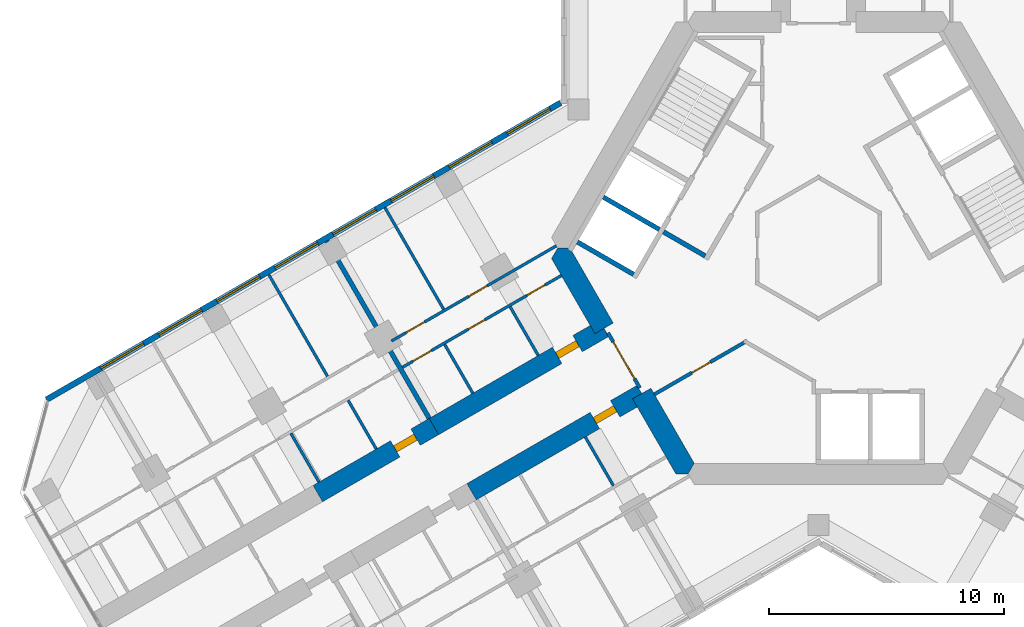
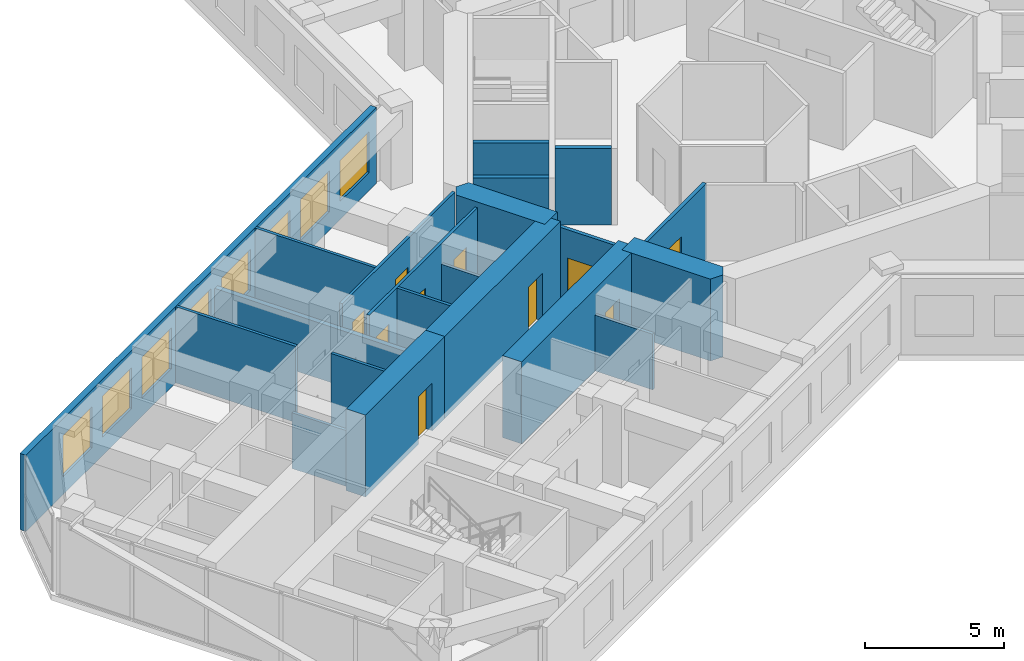
# One storey, part 12 of 19: 21 walls, 10 doors, 8 windows, 18 openings.
"""IFC4 building model written with IfcOpenShell, lengths in metres."""

from ifc_helpers import new_model, si_unit, direction, frame, frame_2d, origin, place, context, subcontext, project, spatial, polyline, rectangle, outline, extrude, material, layer, layer_set, type_object, element, fill, save


model = new_model("IFC4")

# Units and contexts
model_context = context("Model", 3, precision=1e-05, world=origin(), true_north=direction((0.0, 1.0)))
body_context = subcontext(model_context, "Body", "Model", "MODEL_VIEW")
ifc_project = project(units=[si_unit("LENGTHUNIT", "METRE"), si_unit("AREAUNIT", "SQUARE_METRE"), si_unit("VOLUMEUNIT", "CUBIC_METRE"), si_unit("PLANEANGLEUNIT", "RADIAN"), si_unit("MASSUNIT", "GRAM", prefix="KILO")], contexts=[model_context])

# Site, building, storey
site_placement = place(None, origin())
site = spatial("IfcSite", under=ifc_project, at=site_placement, CompositionType="ELEMENT")
building_placement = place(site_placement, origin())
building = spatial("IfcBuilding", under=site, at=building_placement, Name="Kosmar Iwan School Tower", CompositionType="ELEMENT")
storey_placement = place(building_placement, frame((0.0, 0.0, 158.0)))
storey = spatial("IfcBuildingStorey", under=building, at=storey_placement, Name="L39", CompositionType="ELEMENT", Elevation=158.0)

# Wall, opening, door
ifc_material_1 = material(Name="Gypsum board on steel studs, fire-rated", Category="steel")
ifc_layer_1 = layer(ifc_material_1, 0.14990234375)
ifc_layer_set_1 = layer_set([ifc_layer_1], Name="Core room partition 150")
wall_type_1 = type_object("IfcWallType", Name="Core room partition 150", PredefinedType="PARTITIONING", material=ifc_layer_set_1)
wall_1_placement = place(storey_placement, frame((-6.978515625, -6.222900390625, 0.0), z_axis=(0.0, 0.0, 1.0), x_axis=(0.866033797781, 0.49998546089, 0.0)))
wall_1 = element("IfcWall", 1, at=wall_1_placement, inside=storey, type_object=wall_type_1, Name="Core room partition L39-CW5", PredefinedType="PARTITIONING", context=body_context, shape_type="SweptSolid", body=[
    extrude(rectangle(XDim=4.553466796875, YDim=0.14990234375, at=frame_2d((2.27685546875, 0.0))), origin(), (0.0, 0.0, 1.0), 3.35009765625),
])
opening_1_placement = place(wall_1_placement, frame((1.846923828125, 0.0, 0.0)))
opening_1 = element("IfcOpeningElement", 2, at=opening_1_placement, cuts=wall_1, Name="Opening D14", PredefinedType="OPENING", context=body_context, shape_type="SweptSolid", body=[
    extrude(rectangle(XDim=0.89990234375, YDim=2.10009765625, at=frame_2d((0.449951171875, 1.050048828125))), frame((0.0, 0.0869140625, 0.0), z_axis=(0.0, -1.0, 0.0), x_axis=(1.0, 0.0, 0.0)), (0.0, 0.0, 1.0), 0.173828125),
])
ifc_material_2 = material(Name="Timber fire door in steel frame", Category="steel")
door_type_1 = type_object("IfcDoorType", Name="Core room door 900x2100", OperationType="SINGLE_SWING_LEFT", PredefinedType="DOOR", material=ifc_material_2)
door_1_placement = place(opening_1_placement, origin())
door_1 = element("IfcDoor", 3, at=door_1_placement, inside=storey, type_object=door_type_1, Name="Refuse and recycling room door L39 3", OperationType="SINGLE_SWING_LEFT", OverallHeight=2.10009765625, OverallWidth=0.89990234375, PredefinedType="DOOR", context=body_context, shape_type="SweptSolid", body=[
    extrude(rectangle(XDim=0.89990234375, YDim=2.10009765625, at=frame_2d((0.449951171875, 1.050048828125))), frame((0.0, 0.02490234375, 0.0), z_axis=(0.0, -1.0, 0.0), x_axis=(1.0, 0.0, 0.0)), (0.0, 0.0, 1.0), 0.050048828125),
])
fill(opening_1, door_1)

# Walls
ifc_material_3 = material(Name="Concrete C50/60", Category="concrete")
ifc_layer_2 = layer(ifc_material_3, 0.89990234375)
ifc_layer_set_2 = layer_set([ifc_layer_2], Name="Core wall 900")
wall_type_2 = type_object("IfcWallType", Name="Core wall 900", PredefinedType="SHEAR", material=ifc_layer_set_2)
wall_2_placement = place(storey_placement, origin())
element("IfcWall", 4, at=wall_2_placement, inside=storey, type_object=wall_type_2, Name="Core wall F210a", PredefinedType="SHEAR", context=body_context, shape_type="SweptSolid", body=[
    extrude(outline(polyline([(-9.503662109375, -3.639404296875), (-8.72412109375, -3.189453125), (-10.5654296875, 0.0), (-11.085205078125, 0.0), (-11.344970703125, -0.449951171875), (-9.503662109375, -3.639404296875)])), origin(), (0.0, 0.0, 1.0), 3.60009765625),
])
wall_3_placement = place(storey_placement, origin())
element("IfcWall", 5, at=wall_3_placement, inside=storey, type_object=wall_type_2, Name="Core wall F210b", PredefinedType="SHEAR", context=body_context, shape_type="SweptSolid", body=[
    extrude(outline(polyline([(-6.062255859375, -9.60009765625), (-5.54248046875, -9.60009765625), (-5.28271484375, -9.14990234375), (-7.1240234375, -5.960693359375), (-7.903564453125, -6.41064453125), (-6.062255859375, -9.60009765625)])), origin(), (0.0, 0.0, 1.0), 3.60009765625),
])

# Wall, opening, door
ifc_material_4 = material(Name="Concrete C50/60", Category="concrete")
ifc_layer_3 = layer(ifc_material_4, 0.800048828125)
ifc_layer_set_3 = layer_set([ifc_layer_3], Name="Corridor buttress wall 800")
wall_type_3 = type_object("IfcWallType", Name="Corridor buttress wall 800", PredefinedType="SHEAR", material=ifc_layer_set_3)
wall_4_placement = place(storey_placement, frame((-7.513916015625, -6.185546875, 0.0), z_axis=(0.0, 0.0, 1.0), x_axis=(-0.866019549707, -0.500010139422, 0.0)))
wall_4 = element("IfcWall", 6, at=wall_4_placement, inside=storey, type_object=wall_type_3, Name="Corridor wall BL", PredefinedType="SHEAR", context=body_context, shape_type="SweptSolid", body=[
    extrude(rectangle(XDim=8.349853515625, YDim=0.800048828125, at=frame_2d((4.1748046875, 0.0))), origin(), (0.0, 0.0, 1.0), 3.60009765625),
])
opening_2_placement = place(wall_4_placement, frame((1.300048828125, 0.0, 0.0)))
opening_2 = element("IfcOpeningElement", 7, at=opening_2_placement, cuts=wall_4, Name="Opening D1", PredefinedType="OPENING", context=body_context, shape_type="SweptSolid", body=[
    extrude(rectangle(XDim=1.0, YDim=2.10009765625, at=frame_2d((0.5, 1.050048828125))), frame((0.0, 0.412109375, 0.0), z_axis=(0.0, -1.0, 0.0), x_axis=(1.0, 0.0, 0.0)), (0.0, 0.0, 1.0), 0.823974609375),
])
ifc_material_5 = material(Name="Timber fire door in steel frame", Category="steel")
door_type_2 = type_object("IfcDoorType", Name="Flat entrance door 1000x2100", OperationType="SINGLE_SWING_LEFT", PredefinedType="DOOR", material=ifc_material_5)
door_2_placement = place(opening_2_placement, origin())
door_2 = element("IfcDoor", 8, at=door_2_placement, inside=storey, type_object=door_type_2, Name="Flat L39-BL1 entrance door", OperationType="SINGLE_SWING_RIGHT", OverallHeight=2.10009765625, OverallWidth=1.0, PredefinedType="DOOR", context=body_context, shape_type="SweptSolid", body=[
    extrude(rectangle(XDim=1.0, YDim=2.10009765625, at=frame_2d((0.5, 1.050048828125))), frame((0.0, 0.14990234375, 0.0), z_axis=(0.0, -1.0, 0.0), x_axis=(1.0, 0.0, 0.0)), (0.0, 0.0, 1.0), 0.300048828125),
])
fill(opening_2, door_2)

wall_5_placement = place(storey_placement, frame((-9.11376953125, -3.414306640625, 0.0), z_axis=(0.0, 0.0, 1.0), x_axis=(-0.866026859388, -0.499997478812, 0.0)))
wall_5 = element("IfcWall", 9, at=wall_5_placement, inside=storey, type_object=wall_type_3, Name="Corridor wall BR", PredefinedType="SHEAR", context=body_context, shape_type="SweptSolid", body=[
    extrude(rectangle(XDim=8.35009765625, YDim=0.800048828125, at=frame_2d((4.175048828125, 0.0))), origin(), (0.0, 0.0, 1.0), 3.60009765625),
])
opening_3_placement = place(wall_5_placement, frame((1.300048828125, 0.0, 0.0)))
opening_3 = element("IfcOpeningElement", 10, at=opening_3_placement, cuts=wall_5, Name="Opening D1", PredefinedType="OPENING", context=body_context, shape_type="SweptSolid", body=[
    extrude(rectangle(XDim=1.0, YDim=2.10009765625, at=frame_2d((0.5, 1.050048828125))), frame((0.0, 0.412109375, 0.0), z_axis=(0.0, -1.0, 0.0), x_axis=(1.0, 0.0, 0.0)), (0.0, 0.0, 1.0), 0.823974609375),
])
door_3_placement = place(opening_3_placement, origin())
door_3 = element("IfcDoor", 11, at=door_3_placement, inside=storey, type_object=door_type_2, Name="Flat L39-BR1 entrance door", OperationType="SINGLE_SWING_LEFT", OverallHeight=2.10009765625, OverallWidth=1.0, PredefinedType="DOOR", context=body_context, shape_type="SweptSolid", body=[
    extrude(rectangle(XDim=1.0, YDim=2.10009765625, at=frame_2d((0.5, 1.050048828125))), frame((0.0, 0.14990234375, 0.0), z_axis=(0.0, -1.0, 0.0), x_axis=(1.0, 0.0, 0.0)), (0.0, 0.0, 1.0), 0.300048828125),
])
fill(opening_3, door_3)

wall_6_placement = place(storey_placement, frame((-16.34521484375, -7.58935546875, 0.0), z_axis=(0.0, 0.0, 1.0), x_axis=(-0.866015111908, -0.50001782563, 0.0)))
wall_6 = element("IfcWall", 12, at=wall_6_placement, inside=storey, type_object=wall_type_3, Name="Corridor wall BR bay 2", PredefinedType="SHEAR", context=body_context, shape_type="SweptSolid", body=[
    extrude(rectangle(XDim=5.699951171875, YDim=0.800048828125, at=frame_2d((2.85009765625, 0.0))), origin(), (0.0, 0.0, 1.0), 3.60009765625),
])
opening_4_placement = place(wall_6_placement, frame((0.89990234375, 0.0, 0.0)))
opening_4 = element("IfcOpeningElement", 13, at=opening_4_placement, cuts=wall_6, Name="Opening D1", PredefinedType="OPENING", context=body_context, shape_type="SweptSolid", body=[
    extrude(rectangle(XDim=1.0, YDim=2.10009765625, at=frame_2d((0.5, 1.050048828125))), frame((0.0, 0.412109375, 0.0), z_axis=(0.0, -1.0, 0.0), x_axis=(1.0, 0.0, 0.0)), (0.0, 0.0, 1.0), 0.823974609375),
])
door_4_placement = place(opening_4_placement, origin())
door_4 = element("IfcDoor", 14, at=door_4_placement, inside=storey, type_object=door_type_2, Name="Flat L39-BR2 entrance door", OperationType="SINGLE_SWING_LEFT", OverallHeight=2.10009765625, OverallWidth=1.0, PredefinedType="DOOR", context=body_context, shape_type="SweptSolid", body=[
    extrude(rectangle(XDim=1.0, YDim=2.10009765625, at=frame_2d((0.5, 1.050048828125))), frame((0.0, 0.14990234375, 0.0), z_axis=(0.0, -1.0, 0.0), x_axis=(1.0, 0.0, 0.0)), (0.0, 0.0, 1.0), 0.300048828125),
])
fill(opening_4, door_4)

ifc_material_6 = material(Name="Steel framed glazed screen", Category="steel")
ifc_layer_4 = layer(ifc_material_6, 0.14990234375)
ifc_layer_set_4 = layer_set([ifc_layer_4], Name="Corridor screen wall 150")
wall_type_4 = type_object("IfcWallType", Name="Corridor screen wall 150", PredefinedType="PARTITIONING", material=ifc_layer_set_4)
wall_7_placement = place(storey_placement, frame((-8.945556640625, -3.60595703125, 0.0), z_axis=(0.0, 0.0, 1.0), x_axis=(0.500048589285, -0.86599734893, 0.0)))
wall_7 = element("IfcWall", 15, at=wall_7_placement, inside=storey, type_object=wall_type_4, Name="Corridor screen B L39", PredefinedType="PARTITIONING", context=body_context, shape_type="SweptSolid", body=[
    extrude(rectangle(XDim=2.699951171875, YDim=0.14990234375, at=frame_2d((1.35009765625, 0.0))), origin(), (0.0, 0.0, 1.0), 3.35009765625),
])
opening_5_placement = place(wall_7_placement, frame((0.449951171875, 0.0, 0.0)))
opening_5 = element("IfcOpeningElement", 16, at=opening_5_placement, cuts=wall_7, Name="Opening D9", PredefinedType="OPENING", context=body_context, shape_type="SweptSolid", body=[
    extrude(rectangle(XDim=1.800048828125, YDim=2.10009765625, at=frame_2d((0.89990234375, 1.050048828125))), frame((0.0, 0.0869140625, 0.0), z_axis=(0.0, -1.0, 0.0), x_axis=(1.0, 0.0, 0.0)), (0.0, 0.0, 1.0), 0.173828125),
])
ifc_material_7 = material(Name="Steel framed glazed smoke door", Category="steel")
door_type_3 = type_object("IfcDoorType", Name="Corridor smoke door pair 1800x2100", OperationType="DOUBLE_DOOR_DOUBLE_SWING", PredefinedType="DOOR", material=ifc_material_7)
door_5_placement = place(opening_5_placement, origin())
door_5 = element("IfcDoor", 17, at=door_5_placement, inside=storey, type_object=door_type_3, Name="Corridor doors B L39", OperationType="DOUBLE_DOOR_DOUBLE_SWING", OverallHeight=2.10009765625, OverallWidth=1.800048828125, PredefinedType="DOOR", context=body_context, shape_type="SweptSolid", body=[
    extrude(rectangle(XDim=1.800048828125, YDim=2.10009765625, at=frame_2d((0.89990234375, 1.050048828125))), frame((0.0, 0.02490234375, 0.0), z_axis=(0.0, -1.0, 0.0), x_axis=(1.0, 0.0, 0.0)), (0.0, 0.0, 1.0), 0.050048828125),
])
fill(opening_5, door_5)

# Wall
ifc_material_8 = material(Name="Gypsum board on steel studs", Category="steel")
ifc_layer_5 = layer(ifc_material_8, 0.1201171875)
ifc_layer_set_5 = layer_set([ifc_layer_5], Name="Dwelling partition 120")
wall_type_5 = type_object("IfcWallType", Name="Dwelling partition 120", PredefinedType="PARTITIONING", material=ifc_layer_set_5)
wall_8_placement = place(storey_placement, frame((-9.911865234375, -8.031982421875, 0.0), z_axis=(0.0, 0.0, 1.0), x_axis=(0.500017192868, -0.86601547725, 0.0)))
element("IfcWall", 18, at=wall_8_placement, inside=storey, type_object=wall_type_5, Name="Partition L39-BL1-Y1", PredefinedType="PARTITIONING", context=body_context, shape_type="SweptSolid", body=[
    extrude(rectangle(XDim=2.39013671875, YDim=0.1201171875, at=frame_2d((1.195068359375, 0.0))), origin(), (0.0, 0.0, 1.0), 2.449951171875),
])

# Wall, openings, doors
wall_9_placement = place(storey_placement, frame((-10.928466796875, -1.171142578125, 0.0), z_axis=(0.0, 0.0, 1.0), x_axis=(-0.866021400173, -0.500006934395, 0.0)))
wall_9 = element("IfcWall", 19, at=wall_9_placement, inside=storey, type_object=wall_type_5, Name="Partition L39-BR1-W1", PredefinedType="PARTITIONING", context=body_context, shape_type="SweptSolid", body=[
    extrude(rectangle(XDim=7.80029296875, YDim=0.1201171875, at=frame_2d((3.900146484375, 0.0))), origin(), (0.0, 0.0, 1.0), 3.35009765625),
])
opening_6_placement = place(wall_9_placement, frame((0.800048828125, 0.0, 0.0)))
opening_6 = element("IfcOpeningElement", 20, at=opening_6_placement, cuts=wall_9, Name="Opening D2", PredefinedType="OPENING", context=body_context, shape_type="SweptSolid", body=[
    extrude(rectangle(XDim=0.89990234375, YDim=2.10009765625, at=frame_2d((0.449951171875, 1.050048828125))), frame((0.0, 0.072021484375, 0.0), z_axis=(0.0, -1.0, 0.0), x_axis=(1.0, 0.0, 0.0)), (0.0, 0.0, 1.0), 0.14404296875),
])
opening_7_placement = place(wall_9_placement, frame((3.755126953125, 0.0, 0.0)))
opening_7 = element("IfcOpeningElement", 21, at=opening_7_placement, cuts=wall_9, Name="Opening D3", PredefinedType="OPENING", context=body_context, shape_type="SweptSolid", body=[
    extrude(rectangle(XDim=0.800048828125, YDim=2.10009765625, at=frame_2d((0.39990234375, 1.050048828125))), frame((0.0, 0.072021484375, 0.0), z_axis=(0.0, -1.0, 0.0), x_axis=(1.0, 0.0, 0.0)), (0.0, 0.0, 1.0), 0.14404296875),
])
opening_8_placement = place(wall_9_placement, frame((6.380126953125, 0.0, 0.0)))
opening_8 = element("IfcOpeningElement", 22, at=opening_8_placement, cuts=wall_9, Name="Opening D2", PredefinedType="OPENING", context=body_context, shape_type="SweptSolid", body=[
    extrude(rectangle(XDim=0.89990234375, YDim=2.10009765625, at=frame_2d((0.449951171875, 1.050048828125))), frame((0.0, 0.072021484375, 0.0), z_axis=(0.0, -1.0, 0.0), x_axis=(1.0, 0.0, 0.0)), (0.0, 0.0, 1.0), 0.14404296875),
])
ifc_material_9 = material(Name="Timber door in timber frame", Category="wood")
door_type_4 = type_object("IfcDoorType", Name="Internal door 900x2100", OperationType="SINGLE_SWING_LEFT", PredefinedType="DOOR", material=ifc_material_9)
door_6_placement = place(opening_6_placement, origin())
door_6 = element("IfcDoor", 23, at=door_6_placement, inside=storey, type_object=door_type_4, Name="Entrance hall door L39-BR1-S1", OperationType="SINGLE_SWING_LEFT", OverallHeight=2.10009765625, OverallWidth=0.89990234375, PredefinedType="DOOR", context=body_context, shape_type="SweptSolid", body=[
    extrude(rectangle(XDim=0.89990234375, YDim=2.10009765625, at=frame_2d((0.449951171875, 1.050048828125))), frame((0.0, 0.02490234375, 0.0), z_axis=(0.0, -1.0, 0.0), x_axis=(1.0, 0.0, 0.0)), (0.0, 0.0, 1.0), 0.050048828125),
])
fill(opening_6, door_6)
door_7_placement = place(opening_8_placement, origin())
door_7 = element("IfcDoor", 24, at=door_7_placement, inside=storey, type_object=door_type_4, Name="Pantry door L39-BR1-S3", OperationType="SINGLE_SWING_RIGHT", OverallHeight=2.10009765625, OverallWidth=0.89990234375, PredefinedType="DOOR", context=body_context, shape_type="SweptSolid", body=[
    extrude(rectangle(XDim=0.89990234375, YDim=2.10009765625, at=frame_2d((0.449951171875, 1.050048828125))), frame((0.0, 0.02490234375, 0.0), z_axis=(0.0, -1.0, 0.0), x_axis=(1.0, 0.0, 0.0)), (0.0, 0.0, 1.0), 0.050048828125),
])
fill(opening_8, door_7)
ifc_material_10 = material(Name="Timber door in timber frame", Category="wood")
door_type_5 = type_object("IfcDoorType", Name="Sanitary room door 800x2100", OperationType="SINGLE_SWING_LEFT", PredefinedType="DOOR", material=ifc_material_10)
door_8_placement = place(opening_7_placement, origin())
door_8 = element("IfcDoor", 25, at=door_8_placement, inside=storey, type_object=door_type_5, Name="Bathroom door L39-BR1-S2", OperationType="SINGLE_SWING_RIGHT", OverallHeight=2.10009765625, OverallWidth=0.800048828125, PredefinedType="DOOR", context=body_context, shape_type="SweptSolid", body=[
    extrude(rectangle(XDim=0.800048828125, YDim=2.10009765625, at=frame_2d((0.39990234375, 1.050048828125))), frame((0.0, 0.02490234375, 0.0), z_axis=(0.0, -1.0, 0.0), x_axis=(1.0, 0.0, 0.0)), (0.0, 0.0, 1.0), 0.050048828125),
])
fill(opening_7, door_8)

wall_10_placement = place(storey_placement, frame((-11.138916015625, 0.093017578125, 0.0), z_axis=(0.0, 0.0, 1.0), x_axis=(-0.866017937352, -0.500012932018, 0.0)))
wall_10 = element("IfcWall", 26, at=wall_10_placement, inside=storey, type_object=wall_type_5, Name="Partition L39-BR1-W2", PredefinedType="PARTITIONING", context=body_context, shape_type="SweptSolid", body=[
    extrude(rectangle(XDim=8.099853515625, YDim=0.1201171875, at=frame_2d((4.0498046875, 0.0))), origin(), (0.0, 0.0, 1.0), 3.35009765625),
])
opening_9_placement = place(wall_10_placement, frame((3.39990234375, 0.0, 0.0)))
opening_9 = element("IfcOpeningElement", 27, at=opening_9_placement, cuts=wall_10, Name="Opening D2", PredefinedType="OPENING", context=body_context, shape_type="SweptSolid", body=[
    extrude(rectangle(XDim=0.89990234375, YDim=2.10009765625, at=frame_2d((0.449951171875, 1.050048828125))), frame((0.0, 0.072021484375, 0.0), z_axis=(0.0, -1.0, 0.0), x_axis=(1.0, 0.0, 0.0)), (0.0, 0.0, 1.0), 0.14404296875),
])
opening_10_placement = place(wall_10_placement, frame((6.47509765625, 0.0, 0.0)))
opening_10 = element("IfcOpeningElement", 28, at=opening_10_placement, cuts=wall_10, Name="Opening D2", PredefinedType="OPENING", context=body_context, shape_type="SweptSolid", body=[
    extrude(rectangle(XDim=0.89990234375, YDim=2.10009765625, at=frame_2d((0.449951171875, 1.050048828125))), frame((0.0, 0.072021484375, 0.0), z_axis=(0.0, -1.0, 0.0), x_axis=(1.0, 0.0, 0.0)), (0.0, 0.0, 1.0), 0.14404296875),
])
door_9_placement = place(opening_9_placement, origin())
door_9 = element("IfcDoor", 29, at=door_9_placement, inside=storey, type_object=door_type_4, Name="Living room and kitchen door L39-BR1-F1", OperationType="SINGLE_SWING_LEFT", OverallHeight=2.10009765625, OverallWidth=0.89990234375, PredefinedType="DOOR", context=body_context, shape_type="SweptSolid", body=[
    extrude(rectangle(XDim=0.89990234375, YDim=2.10009765625, at=frame_2d((0.449951171875, 1.050048828125))), frame((0.0, 0.02490234375, 0.0), z_axis=(0.0, -1.0, 0.0), x_axis=(1.0, 0.0, 0.0)), (0.0, 0.0, 1.0), 0.050048828125),
])
fill(opening_9, door_9)
door_10_placement = place(opening_10_placement, origin())
door_10 = element("IfcDoor", 30, at=door_10_placement, inside=storey, type_object=door_type_4, Name="Bedroom 1 door L39-BR1-F2", OperationType="SINGLE_SWING_RIGHT", OverallHeight=2.10009765625, OverallWidth=0.89990234375, PredefinedType="DOOR", context=body_context, shape_type="SweptSolid", body=[
    extrude(rectangle(XDim=0.89990234375, YDim=2.10009765625, at=frame_2d((0.449951171875, 1.050048828125))), frame((0.0, 0.02490234375, 0.0), z_axis=(0.0, -1.0, 0.0), x_axis=(1.0, 0.0, 0.0)), (0.0, 0.0, 1.0), 0.050048828125),
])
fill(opening_10, door_10)

# Walls
wall_11_placement = place(storey_placement, frame((-15.931884765625, -2.60498046875, 0.0), z_axis=(0.0, 0.0, 1.0), x_axis=(-0.500011847778, 0.866018563358, 0.0)))
element("IfcWall", 31, at=wall_11_placement, inside=storey, type_object=wall_type_5, Name="Partition L39-BR1-X1", PredefinedType="PARTITIONING", context=body_context, shape_type="SweptSolid", body=[
    extrude(rectangle(XDim=4.990234375, YDim=0.1201171875, at=frame_2d((2.4951171875, 0.0))), origin(), (0.0, 0.0, 1.0), 3.35009765625),
])
wall_12_placement = place(storey_placement, frame((-11.911865234375, -4.56787109375, 0.0), z_axis=(0.0, 0.0, 1.0), x_axis=(-0.500017192868, 0.86601547725, 0.0)))
element("IfcWall", 32, at=wall_12_placement, inside=storey, type_object=wall_type_5, Name="Partition L39-BR1-Y1", PredefinedType="PARTITIONING", context=body_context, shape_type="SweptSolid", body=[
    extrude(rectangle(XDim=2.39013671875, YDim=0.1201171875, at=frame_2d((1.195068359375, 0.0))), origin(), (0.0, 0.0, 1.0), 2.449951171875),
])
wall_13_placement = place(storey_placement, frame((-14.69189453125, -6.1728515625, 0.0), z_axis=(0.0, 0.0, 1.0), x_axis=(-0.500017192868, 0.86601547725, 0.0)))
element("IfcWall", 33, at=wall_13_placement, inside=storey, type_object=wall_type_5, Name="Partition L39-BR1-Y2", PredefinedType="PARTITIONING", context=body_context, shape_type="SweptSolid", body=[
    extrude(rectangle(XDim=2.39013671875, YDim=0.1201171875, at=frame_2d((1.195068359375, 0.0))), origin(), (0.0, 0.0, 1.0), 3.35009765625),
])
wall_14_placement = place(storey_placement, frame((-20.868408203125, -5.455078125, 0.0), z_axis=(0.0, 0.0, 1.0), x_axis=(-0.499975153383, 0.86603974851, 0.0)))
element("IfcWall", 34, at=wall_14_placement, inside=storey, type_object=wall_type_5, Name="Partition L39-BR2-X1", PredefinedType="PARTITIONING", context=body_context, shape_type="SweptSolid", body=[
    extrude(rectangle(XDim=4.989990234375, YDim=0.1201171875, at=frame_2d((2.4951171875, 0.0))), origin(), (0.0, 0.0, 1.0), 3.35009765625),
])
wall_15_placement = place(storey_placement, frame((-18.796875, -8.54296875, 0.0), z_axis=(0.0, 0.0, 1.0), x_axis=(-0.500017192868, 0.86601547725, 0.0)))
element("IfcWall", 35, at=wall_15_placement, inside=storey, type_object=wall_type_5, Name="Partition L39-BR2-Y1", PredefinedType="PARTITIONING", context=body_context, shape_type="SweptSolid", body=[
    extrude(rectangle(XDim=2.39013671875, YDim=0.1201171875, at=frame_2d((1.195068359375, 0.0))), origin(), (0.0, 0.0, 1.0), 3.35009765625),
])
wall_16_placement = place(storey_placement, frame((-21.23046875, -9.947998046875, 0.0), z_axis=(0.0, 0.0, 1.0), x_axis=(-0.499940577336, 0.866059708757, 0.0)))
element("IfcWall", 36, at=wall_16_placement, inside=storey, type_object=wall_type_5, Name="Partition L39-BR2-Y2", PredefinedType="PARTITIONING", context=body_context, shape_type="SweptSolid", body=[
    extrude(rectangle(XDim=2.389892578125, YDim=0.1201171875, at=frame_2d((1.19482421875, 0.0))), origin(), (0.0, 0.0, 1.0), 2.449951171875),
])

# Wall, openings, windows
ifc_material_11 = material(Name="Black aluminium rainscreen on insulated framing", Category="aluminium")
ifc_layer_6 = layer(ifc_material_11, 0.25)
ifc_layer_set_6 = layer_set([ifc_layer_6], Name="External wall rainscreen 250")
wall_type_6 = type_object("IfcWallType", Name="External wall rainscreen 250", PredefinedType="SOLIDWALL", material=ifc_layer_set_6)
wall_17_placement = place(storey_placement, frame((-10.962890625, 6.170166015625, 0.0), z_axis=(0.0, 0.0, 1.0), x_axis=(-0.86602796634, -0.499995561497, 0.0)))
wall_17 = element("IfcWall", 37, at=wall_17_placement, inside=storey, type_object=wall_type_6, Name="External wall BR L39", PredefinedType="SOLIDWALL", context=body_context, shape_type="SweptSolid", body=[
    extrude(rectangle(XDim=25.226318359375, YDim=0.25, at=frame_2d((12.61328125, 0.0))), origin(), (0.0, 0.0, 1.0), 3.35009765625),
])
opening_11_placement = place(wall_17_placement, frame((0.51611328125, 0.0, 0.800048828125)))
opening_11 = element("IfcOpeningElement", 38, at=opening_11_placement, cuts=wall_17, Name="Opening W4", PredefinedType="OPENING", context=body_context, shape_type="SweptSolid", body=[
    extrude(rectangle(XDim=2.10009765625, YDim=1.800048828125, at=frame_2d((1.050048828125, 0.89990234375))), frame((0.0, 0.136962890625, 0.0), z_axis=(0.0, -1.0, 0.0), x_axis=(1.0, 0.0, 0.0)), (0.0, 0.0, 1.0), 0.27392578125),
])
opening_12_placement = place(wall_17_placement, frame((3.365966796875, 0.0, 0.800048828125)))
opening_12 = element("IfcOpeningElement", 39, at=opening_12_placement, cuts=wall_17, Name="Opening W4", PredefinedType="OPENING", context=body_context, shape_type="SweptSolid", body=[
    extrude(rectangle(XDim=2.10009765625, YDim=1.800048828125, at=frame_2d((1.050048828125, 0.89990234375))), frame((0.0, 0.136962890625, 0.0), z_axis=(0.0, -1.0, 0.0), x_axis=(1.0, 0.0, 0.0)), (0.0, 0.0, 1.0), 0.27392578125),
])
opening_13_placement = place(wall_17_placement, frame((6.216064453125, 0.0, 0.800048828125)))
opening_13 = element("IfcOpeningElement", 40, at=opening_13_placement, cuts=wall_17, Name="Opening W4", PredefinedType="OPENING", context=body_context, shape_type="SweptSolid", body=[
    extrude(rectangle(XDim=2.10009765625, YDim=1.800048828125, at=frame_2d((1.050048828125, 0.89990234375))), frame((0.0, 0.136962890625, 0.0), z_axis=(0.0, -1.0, 0.0), x_axis=(1.0, 0.0, 0.0)), (0.0, 0.0, 1.0), 0.27392578125),
])
opening_14_placement = place(wall_17_placement, frame((9.06591796875, 0.0, 0.800048828125)))
opening_14 = element("IfcOpeningElement", 41, at=opening_14_placement, cuts=wall_17, Name="Opening W4", PredefinedType="OPENING", context=body_context, shape_type="SweptSolid", body=[
    extrude(rectangle(XDim=2.10009765625, YDim=1.800048828125, at=frame_2d((1.050048828125, 0.89990234375))), frame((0.0, 0.136962890625, 0.0), z_axis=(0.0, -1.0, 0.0), x_axis=(1.0, 0.0, 0.0)), (0.0, 0.0, 1.0), 0.27392578125),
])
opening_15_placement = place(wall_17_placement, frame((11.916015625, 0.0, 0.800048828125)))
opening_15 = element("IfcOpeningElement", 42, at=opening_15_placement, cuts=wall_17, Name="Opening W4", PredefinedType="OPENING", context=body_context, shape_type="SweptSolid", body=[
    extrude(rectangle(XDim=2.10009765625, YDim=1.800048828125, at=frame_2d((1.050048828125, 0.89990234375))), frame((0.0, 0.136962890625, 0.0), z_axis=(0.0, -1.0, 0.0), x_axis=(1.0, 0.0, 0.0)), (0.0, 0.0, 1.0), 0.27392578125),
])
opening_16_placement = place(wall_17_placement, frame((14.76611328125, 0.0, 0.800048828125)))
opening_16 = element("IfcOpeningElement", 43, at=opening_16_placement, cuts=wall_17, Name="Opening W4", PredefinedType="OPENING", context=body_context, shape_type="SweptSolid", body=[
    extrude(rectangle(XDim=2.10009765625, YDim=1.800048828125, at=frame_2d((1.050048828125, 0.89990234375))), frame((0.0, 0.136962890625, 0.0), z_axis=(0.0, -1.0, 0.0), x_axis=(1.0, 0.0, 0.0)), (0.0, 0.0, 1.0), 0.27392578125),
])
opening_17_placement = place(wall_17_placement, frame((17.615966796875, 0.0, 0.800048828125)))
opening_17 = element("IfcOpeningElement", 44, at=opening_17_placement, cuts=wall_17, Name="Opening W4", PredefinedType="OPENING", context=body_context, shape_type="SweptSolid", body=[
    extrude(rectangle(XDim=2.10009765625, YDim=1.800048828125, at=frame_2d((1.050048828125, 0.89990234375))), frame((0.0, 0.136962890625, 0.0), z_axis=(0.0, -1.0, 0.0), x_axis=(1.0, 0.0, 0.0)), (0.0, 0.0, 1.0), 0.27392578125),
])
opening_18_placement = place(wall_17_placement, frame((20.466064453125, 0.0, 0.800048828125)))
opening_18 = element("IfcOpeningElement", 45, at=opening_18_placement, cuts=wall_17, Name="Opening W4", PredefinedType="OPENING", context=body_context, shape_type="SweptSolid", body=[
    extrude(rectangle(XDim=2.10009765625, YDim=1.800048828125, at=frame_2d((1.050048828125, 0.89990234375))), frame((0.0, 0.136962890625, 0.0), z_axis=(0.0, -1.0, 0.0), x_axis=(1.0, 0.0, 0.0)), (0.0, 0.0, 1.0), 0.27392578125),
])
ifc_material_12 = material(Name="Black aluminium frame with dark triple glazing", Category="aluminium")
window_type = type_object("IfcWindowType", Name="Window 2100x1800", PartitioningType="SINGLE_PANEL", PredefinedType="WINDOW", material=ifc_material_12)
window_1_placement = place(opening_11_placement, origin())
window_1 = element("IfcWindow", 46, at=window_1_placement, inside=storey, type_object=window_type, Name="Window BR L39 -1", OverallHeight=1.800048828125, OverallWidth=2.10009765625, PartitioningType="SINGLE_PANEL", PredefinedType="WINDOW", context=body_context, shape_type="SweptSolid", body=[
    extrude(rectangle(XDim=2.10009765625, YDim=1.800048828125, at=frame_2d((1.050048828125, 0.89990234375))), frame((0.0, 0.030029296875, 0.0), z_axis=(0.0, -1.0, 0.0), x_axis=(1.0, 0.0, 0.0)), (0.0, 0.0, 1.0), 0.06005859375),
])
fill(opening_11, window_1)
window_2_placement = place(opening_12_placement, origin())
window_2 = element("IfcWindow", 47, at=window_2_placement, inside=storey, type_object=window_type, Name="Window BR L39 0", OverallHeight=1.800048828125, OverallWidth=2.10009765625, PartitioningType="SINGLE_PANEL", PredefinedType="WINDOW", context=body_context, shape_type="SweptSolid", body=[
    extrude(rectangle(XDim=2.10009765625, YDim=1.800048828125, at=frame_2d((1.050048828125, 0.89990234375))), frame((0.0, 0.030029296875, 0.0), z_axis=(0.0, -1.0, 0.0), x_axis=(1.0, 0.0, 0.0)), (0.0, 0.0, 1.0), 0.06005859375),
])
fill(opening_12, window_2)
window_3_placement = place(opening_13_placement, origin())
window_3 = element("IfcWindow", 48, at=window_3_placement, inside=storey, type_object=window_type, Name="Window BR L39 1", OverallHeight=1.800048828125, OverallWidth=2.10009765625, PartitioningType="SINGLE_PANEL", PredefinedType="WINDOW", context=body_context, shape_type="SweptSolid", body=[
    extrude(rectangle(XDim=2.10009765625, YDim=1.800048828125, at=frame_2d((1.050048828125, 0.89990234375))), frame((0.0, 0.030029296875, 0.0), z_axis=(0.0, -1.0, 0.0), x_axis=(1.0, 0.0, 0.0)), (0.0, 0.0, 1.0), 0.06005859375),
])
fill(opening_13, window_3)
window_4_placement = place(opening_14_placement, origin())
window_4 = element("IfcWindow", 49, at=window_4_placement, inside=storey, type_object=window_type, Name="Window BR L39 2", OverallHeight=1.800048828125, OverallWidth=2.10009765625, PartitioningType="SINGLE_PANEL", PredefinedType="WINDOW", context=body_context, shape_type="SweptSolid", body=[
    extrude(rectangle(XDim=2.10009765625, YDim=1.800048828125, at=frame_2d((1.050048828125, 0.89990234375))), frame((0.0, 0.030029296875, 0.0), z_axis=(0.0, -1.0, 0.0), x_axis=(1.0, 0.0, 0.0)), (0.0, 0.0, 1.0), 0.06005859375),
])
fill(opening_14, window_4)
window_5_placement = place(opening_15_placement, origin())
window_5 = element("IfcWindow", 50, at=window_5_placement, inside=storey, type_object=window_type, Name="Window BR L39 3", OverallHeight=1.800048828125, OverallWidth=2.10009765625, PartitioningType="SINGLE_PANEL", PredefinedType="WINDOW", context=body_context, shape_type="SweptSolid", body=[
    extrude(rectangle(XDim=2.10009765625, YDim=1.800048828125, at=frame_2d((1.050048828125, 0.89990234375))), frame((0.0, 0.030029296875, 0.0), z_axis=(0.0, -1.0, 0.0), x_axis=(1.0, 0.0, 0.0)), (0.0, 0.0, 1.0), 0.06005859375),
])
fill(opening_15, window_5)
window_6_placement = place(opening_16_placement, origin())
window_6 = element("IfcWindow", 51, at=window_6_placement, inside=storey, type_object=window_type, Name="Window BR L39 4", OverallHeight=1.800048828125, OverallWidth=2.10009765625, PartitioningType="SINGLE_PANEL", PredefinedType="WINDOW", context=body_context, shape_type="SweptSolid", body=[
    extrude(rectangle(XDim=2.10009765625, YDim=1.800048828125, at=frame_2d((1.050048828125, 0.89990234375))), frame((0.0, 0.030029296875, 0.0), z_axis=(0.0, -1.0, 0.0), x_axis=(1.0, 0.0, 0.0)), (0.0, 0.0, 1.0), 0.06005859375),
])
fill(opening_16, window_6)
window_7_placement = place(opening_17_placement, origin())
window_7 = element("IfcWindow", 52, at=window_7_placement, inside=storey, type_object=window_type, Name="Window BR L39 5", OverallHeight=1.800048828125, OverallWidth=2.10009765625, PartitioningType="SINGLE_PANEL", PredefinedType="WINDOW", context=body_context, shape_type="SweptSolid", body=[
    extrude(rectangle(XDim=2.10009765625, YDim=1.800048828125, at=frame_2d((1.050048828125, 0.89990234375))), frame((0.0, 0.030029296875, 0.0), z_axis=(0.0, -1.0, 0.0), x_axis=(1.0, 0.0, 0.0)), (0.0, 0.0, 1.0), 0.06005859375),
])
fill(opening_17, window_7)
window_8_placement = place(opening_18_placement, origin())
window_8 = element("IfcWindow", 53, at=window_8_placement, inside=storey, type_object=window_type, Name="Window BR L39 6", OverallHeight=1.800048828125, OverallWidth=2.10009765625, PartitioningType="SINGLE_PANEL", PredefinedType="WINDOW", context=body_context, shape_type="SweptSolid", body=[
    extrude(rectangle(XDim=2.10009765625, YDim=1.800048828125, at=frame_2d((1.050048828125, 0.89990234375))), frame((0.0, 0.030029296875, 0.0), z_axis=(0.0, -1.0, 0.0), x_axis=(1.0, 0.0, 0.0)), (0.0, 0.0, 1.0), 0.06005859375),
])
fill(opening_18, window_8)

# Walls
ifc_material_13 = material(Name="Concrete block masonry", Category="masonry")
ifc_layer_7 = layer(ifc_material_13, 0.199951171875)
ifc_layer_set_7 = layer_set([ifc_layer_7], Name="Fire lobby wall 200")
wall_type_7 = type_object("IfcWallType", Name="Fire lobby wall 200", PredefinedType="PARTITIONING", material=ifc_layer_set_7)
wall_18_placement = place(storey_placement, frame((-4.814208984375, -0.33837890625, 0.0), z_axis=(0.0, 0.0, 1.0), x_axis=(-0.865969381856, 0.500097020274, 0.0)))
element("IfcWall", 54, at=wall_18_placement, inside=storey, type_object=wall_type_7, Name="Firefighting lobby wall ST2", PredefinedType="PARTITIONING", context=body_context, shape_type="SweptSolid", body=[
    extrude(rectangle(XDim=2.0498046875, YDim=0.199951171875, at=frame_2d((1.02490234375, 0.0))), origin(), (0.0, 0.0, 1.0), 3.35009765625),
])
ifc_material_14 = material(Name="Concrete C50/60", Category="concrete")
ifc_layer_8 = layer(ifc_material_14, 0.199951171875)
ifc_layer_set_8 = layer_set([ifc_layer_8], Name="Lift shaft wall 200")
wall_type_8 = type_object("IfcWallType", Name="Lift shaft wall 200", PredefinedType="SHEAR", material=ifc_layer_set_8)
for number, where, z_axis, x_axis, name in (
    (55, (-6.7626953125, 0.78662109375, 0.0), (0.0, 0.0, 1.0), (-0.866027397988, 0.499996545922, 0.0), "Lift shaft wall AB 1"),
    (56, (-7.862548828125, -1.118408203125, 0.0), (0.0, 0.0, 1.0), (-0.866027397988, 0.499996545922, 0.0), "Lift shaft wall AB 2"),
):
    element("IfcWall", number, at=place(storey_placement, frame(where, z_axis=z_axis, x_axis=x_axis)), inside=storey, type_object=wall_type_8, Name=name, PredefinedType="SHEAR", context=body_context, shape_type="SweptSolid", body=[
        extrude(rectangle(XDim=2.75, YDim=0.199951171875, at=frame_2d((1.375, 0.0))), origin(), (0.0, 0.0, 1.0), 3.60009765625),
    ])
ifc_material_15 = material(Name="Concrete block masonry", Category="masonry")
ifc_layer_9 = layer(ifc_material_15, 0.199951171875)
ifc_layer_set_9 = layer_set([ifc_layer_9], Name="Party wall 200")
wall_type_9 = type_object("IfcWallType", Name="Party wall 200", PredefinedType="PARTITIONING", material=ifc_layer_set_9)
wall_19_placement = place(storey_placement, frame((-16.545166015625, -7.242919921875, 0.0), z_axis=(0.0, 0.0, 1.0), x_axis=(-0.500008278454, 0.866020624164, 0.0)))
element("IfcWall", 57, at=wall_19_placement, inside=storey, type_object=wall_type_9, Name="Partition L39-BR2-PW", PredefinedType="PARTITIONING", context=body_context, shape_type="SweptSolid", body=[
    extrude(rectangle(XDim=8.699951171875, YDim=0.199951171875, at=frame_2d((4.35009765625, 0.0))), origin(), (0.0, 0.0, 1.0), 2.449951171875),
])

save(model, "model.ifc")
